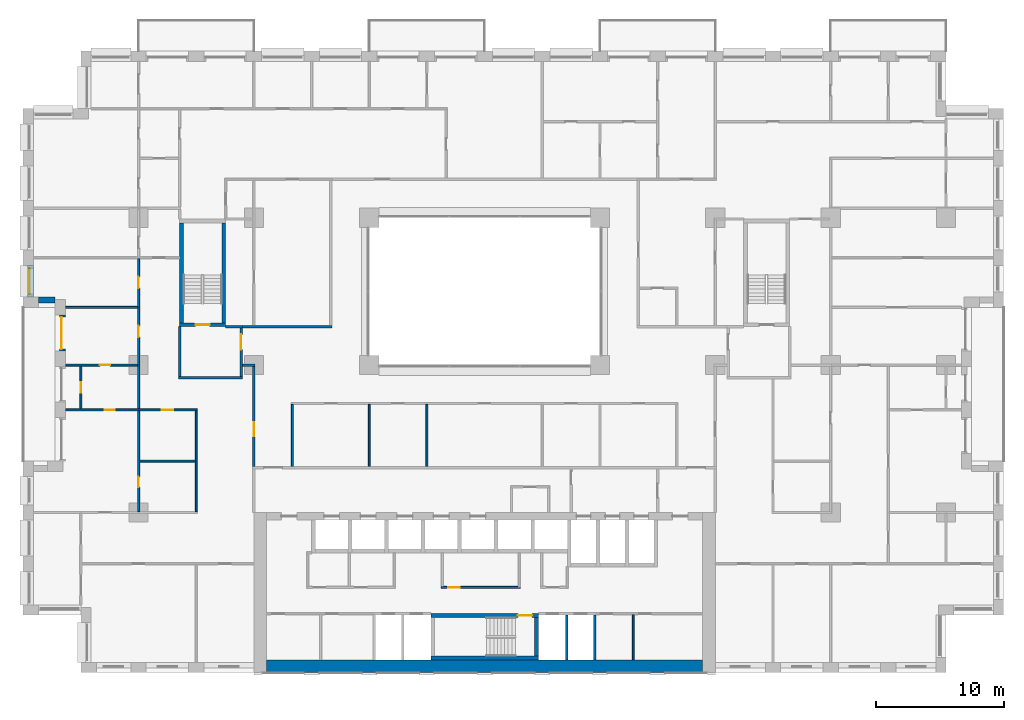
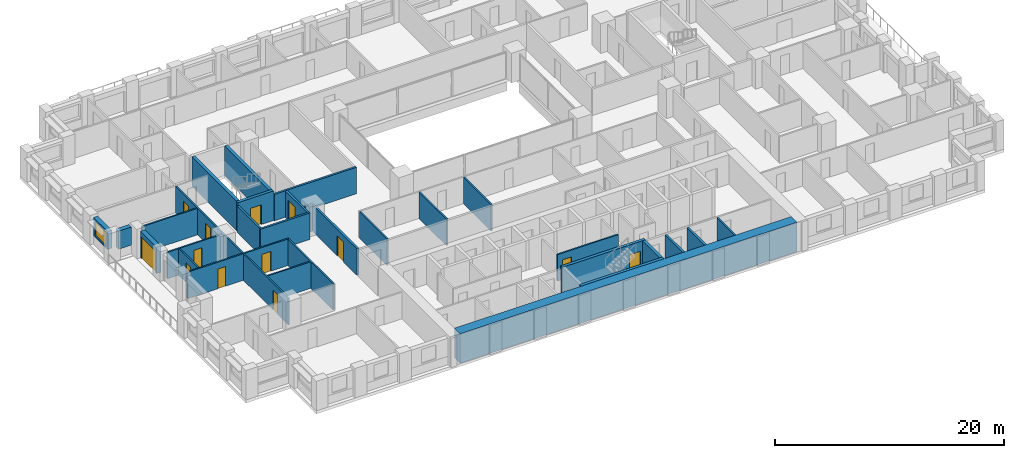
# One storey, part 10 of 20: 32 walls, 13 doors, 1 window, 14 openings.
"""IFC4 building model written with IfcOpenShell, lengths in metres."""

from ifc_helpers import new_model, si_unit, direction, frame, frame_2d, origin, place, context, subcontext, project, spatial, rectangle, extrude, material, layer, layer_set, type_object, element, fill, save


model = new_model("IFC4")

# Units and contexts
model_context = context("Model", 3, precision=1e-05, world=origin(), true_north=direction((0.0, 1.0)))
body_context = subcontext(model_context, "Body", "Model", "MODEL_VIEW")
ifc_project = project(units=[si_unit("LENGTHUNIT", "METRE"), si_unit("AREAUNIT", "SQUARE_METRE"), si_unit("VOLUMEUNIT", "CUBIC_METRE"), si_unit("PLANEANGLEUNIT", "RADIAN"), si_unit("MASSUNIT", "GRAM", prefix="KILO")], contexts=[model_context])

# Site, building, storey
site_placement = place(None, origin())
site = spatial("IfcSite", under=ifc_project, at=site_placement, CompositionType="ELEMENT")
building_placement = place(site_placement, origin())
building = spatial("IfcBuilding", under=site, at=building_placement, Name="Brigalow Station Residences", CompositionType="ELEMENT")
storey_placement = place(building_placement, frame((0.0, 0.0, 41.550048828125)))
storey = spatial("IfcBuildingStorey", under=building, at=storey_placement, Name="L11", CompositionType="ELEMENT", Elevation=41.550048828125)

# Wall, opening, window
ifc_material_1 = material(Name="Clay brick masonry", Category="masonry")
ifc_layer_1 = layer(ifc_material_1, 0.449951171875)
ifc_layer_set_1 = layer_set([ifc_layer_1], Name="BRICK INFILL WALL 450")
wall_type_1 = type_object("IfcWallType", Name="BRICK INFILL WALL 450", PredefinedType="SOLIDWALL", material=ifc_layer_set_1)
wall_1_placement = place(storey_placement, frame((0.574951171875, 31.77490234375, 0.89990234375), z_axis=(0.0, 0.0, 1.0), x_axis=(0.0, -1.0, 0.0)))
wall_1 = element("IfcWall", 1, at=wall_1_placement, inside=storey, type_object=wall_type_1, Name="L11/ewall/W-L11-45", PredefinedType="SOLIDWALL", context=body_context, shape_type="SweptSolid", body=[
    extrude(rectangle(XDim=2.474853515625, YDim=0.449951171875, at=frame_2d((1.2373046875, 0.0))), origin(), (0.0, 0.0, 1.0), 1.929931640625),
])
opening_1_placement = place(wall_1_placement, frame((0.237548828125, 0.0, 0.14990234375)))
opening_1 = element("IfcOpeningElement", 2, at=opening_1_placement, cuts=wall_1, Name="Opening WT-7", PredefinedType="OPENING", context=body_context, shape_type="SweptSolid", body=[
    extrude(rectangle(XDim=2.0, YDim=1.5, at=frame_2d((1.0, 0.75))), frame((0.0, 0.23486328125, 0.0), z_axis=(0.0, -1.0, 0.0), x_axis=(1.0, 0.0, 0.0)), (0.0, 0.0, 1.0), 0.469970703125),
])
ifc_material_2 = material(Name="Anodised aluminium frame with double glazing", Category="aluminium")
window_type = type_object("IfcWindowType", Name="WINDOW 2000x1500", PartitioningType="SINGLE_PANEL", PredefinedType="WINDOW", material=ifc_material_2)
window_placement = place(opening_1_placement, origin())
window = element("IfcWindow", 3, at=window_placement, inside=storey, type_object=window_type, Name="L11/window/W-L11-45", OverallHeight=1.5, OverallWidth=2.0, PartitioningType="SINGLE_PANEL", PredefinedType="WINDOW", context=body_context, shape_type="SweptSolid", body=[
    extrude(rectangle(XDim=2.0, YDim=1.5, at=frame_2d((1.0, 0.75))), frame((0.0, -0.06494140625, 0.0), z_axis=(0.0, -1.0, 0.0), x_axis=(1.0, 0.0, 0.0)), (0.0, 0.0, 1.0), 0.06005859375),
])
fill(opening_1, window)

# Wall
wall_2_placement = place(storey_placement, frame((1.199951171875, 29.074951171875, 0.89990234375), z_axis=(0.0, 0.0, 1.0), x_axis=(1.0, 0.0, 0.0)))
element("IfcWall", 4, at=wall_2_placement, inside=storey, type_object=wall_type_1, Name="L11/ewall/W-L11-46", PredefinedType="SOLIDWALL", context=body_context, shape_type="SweptSolid", body=[
    extrude(rectangle(XDim=1.300048828125, YDim=0.449951171875, at=frame_2d((0.64990234375, 0.0))), origin(), (0.0, 0.0, 1.0), 1.929931640625),
])

# Wall, opening, door
wall_3_placement = place(storey_placement, frame((3.074951171875, 27.89990234375, 0.0), z_axis=(0.0, 0.0, 1.0), x_axis=(0.0, -1.0, 0.0)))
wall_3 = element("IfcWall", 5, at=wall_3_placement, inside=storey, type_object=wall_type_1, Name="L11/ewall/W-L11-47", PredefinedType="SOLIDWALL", context=body_context, shape_type="SweptSolid", body=[
    extrude(rectangle(XDim=2.7998046875, YDim=0.449951171875, at=frame_2d((1.39990234375, 0.0))), origin(), (0.0, 0.0, 1.0), 2.829833984375),
])
opening_2_placement = place(wall_3_placement, frame((0.14990234375, 0.0, 0.0)))
opening_2 = element("IfcOpeningElement", 6, at=opening_2_placement, cuts=wall_3, Name="Opening D-B2500", PredefinedType="OPENING", context=body_context, shape_type="SweptSolid", body=[
    extrude(rectangle(XDim=2.5, YDim=2.300048828125, at=frame_2d((1.25, 1.14990234375))), frame((0.0, 0.23486328125, 0.0), z_axis=(0.0, -1.0, 0.0), x_axis=(1.0, 0.0, 0.0)), (0.0, 0.0, 1.0), 0.469970703125),
])
ifc_material_3 = material(Name="Anodised aluminium frame with double glazing", Category="aluminium")
door_type_1 = type_object("IfcDoorType", Name="BALCONY SLIDING DOOR 2500x2300", OperationType="SLIDING_TO_LEFT", PredefinedType="DOOR", material=ifc_material_3)
door_1_placement = place(opening_2_placement, origin())
door_1 = element("IfcDoor", 7, at=door_1_placement, inside=storey, type_object=door_type_1, Name="L11/balcony-door/W-L11-47", OperationType="SLIDING_TO_LEFT", OverallHeight=2.300048828125, OverallWidth=2.5, PredefinedType="DOOR", context=body_context, shape_type="SweptSolid", body=[
    extrude(rectangle(XDim=2.5, YDim=2.300048828125, at=frame_2d((1.25, 1.14990234375))), frame((0.0, -0.06982421875, 0.0), z_axis=(0.0, -1.0, 0.0), x_axis=(1.0, 0.0, 0.0)), (0.0, 0.0, 1.0), 0.050048828125),
])
fill(opening_2, door_1)

# Walls
ifc_material_4 = material(Name="Concrete C80", Category="concrete")
ifc_layer_2 = layer(ifc_material_4, 1.0)
ifc_layer_set_2 = layer_set([ifc_layer_2], Name="CORE SHEAR WALL 1000 C80")
wall_type_2 = type_object("IfcWallType", Name="CORE SHEAR WALL 1000 C80", PredefinedType="SHEAR", material=ifc_layer_set_2)
wall_4_placement = place(storey_placement, frame((19.0, 0.5, 0.0), z_axis=(0.0, 0.0, 1.0), x_axis=(1.0, 0.0, 0.0)))
element("IfcWall", 8, at=wall_4_placement, inside=storey, type_object=wall_type_2, Name="CORE WALL OUT-S L11", PredefinedType="SHEAR", context=body_context, shape_type="SweptSolid", body=[
    extrude(rectangle(XDim=34.0, YDim=1.0, at=frame_2d((17.0, 0.0))), origin(), (0.0, 0.0, 1.0), 3.14990234375),
])
ifc_material_5 = material(Name="Concrete C80", Category="concrete")
ifc_layer_3 = layer(ifc_material_5, 0.300048828125)
ifc_layer_set_3 = layer_set([ifc_layer_3], Name="CORE SHEAR WALL 300 C80")
wall_type_3 = type_object("IfcWallType", Name="CORE SHEAR WALL 300 C80", PredefinedType="SHEAR", material=ifc_layer_set_3)
wall_5_placement = place(storey_placement, frame((31.800048828125, 1.14990234375, 0.0), z_axis=(0.0, 0.0, 1.0), x_axis=(1.0, 0.0, 0.0)))
element("IfcWall", 9, at=wall_5_placement, inside=storey, type_object=wall_type_3, Name="CORE WALL ST-S2-S L11", PredefinedType="SHEAR", context=body_context, shape_type="SweptSolid", body=[
    extrude(rectangle(XDim=8.39990234375, YDim=0.300048828125, at=frame_2d((4.199951171875, 0.0))), origin(), (0.0, 0.0, 1.0), 3.14990234375),
])

# Wall, opening, door
wall_6_placement = place(storey_placement, frame((31.800048828125, 4.449951171875, 0.0), z_axis=(0.0, 0.0, 1.0), x_axis=(1.0, 0.0, 0.0)))
wall_6 = element("IfcWall", 10, at=wall_6_placement, inside=storey, type_object=wall_type_3, Name="CORE WALL ST-S2-N L11", PredefinedType="SHEAR", context=body_context, shape_type="SweptSolid", body=[
    extrude(rectangle(XDim=8.39990234375, YDim=0.300048828125, at=frame_2d((4.199951171875, 0.0))), origin(), (0.0, 0.0, 1.0), 3.14990234375),
])
opening_3_placement = place(wall_6_placement, frame((6.800048828125, 0.0, 0.0)))
opening_3 = element("IfcOpeningElement", 11, at=opening_3_placement, cuts=wall_6, Name="Opening D-5001", PredefinedType="OPENING", context=body_context, shape_type="SweptSolid", body=[
    extrude(rectangle(XDim=1.10009765625, YDim=2.10009765625, at=frame_2d((0.550048828125, 1.050048828125))), frame((0.0, 0.16015625, 0.0), z_axis=(0.0, -1.0, 0.0), x_axis=(1.0, 0.0, 0.0)), (0.0, 0.0, 1.0), 0.320068359375),
])
ifc_material_6 = material(Name="Steel fire door leaf in steel frame", Category="steel")
door_type_2 = type_object("IfcDoorType", Name="STAIR DOOR 1100 x 2100 FD60S", OperationType="SINGLE_SWING_LEFT", PredefinedType="DOOR", material=ifc_material_6)
door_2_placement = place(opening_3_placement, frame((1.10009765625, 0.0, 0.0), z_axis=(0.0, 0.0, 1.0), x_axis=(-1.0, 0.0, 0.0)))
door_2 = element("IfcDoor", 12, at=door_2_placement, inside=storey, type_object=door_type_2, Name="D-5001", OperationType="SINGLE_SWING_LEFT", OverallHeight=2.10009765625, OverallWidth=1.10009765625, PredefinedType="DOOR", context=body_context, shape_type="SweptSolid", body=[
    extrude(rectangle(XDim=1.10009765625, YDim=2.10009765625, at=frame_2d((0.550048828125, 1.050048828125))), frame((0.0, 0.02490234375, 0.0), z_axis=(0.0, -1.0, 0.0), x_axis=(1.0, 0.0, 0.0)), (0.0, 0.0, 1.0), 0.050048828125),
])
fill(opening_3, door_2)

# Wall
wall_7_placement = place(storey_placement, frame((40.050048828125, 1.300048828125, 0.0), z_axis=(0.0, 0.0, 1.0), x_axis=(0.0, 1.0, 0.0)))
element("IfcWall", 13, at=wall_7_placement, inside=storey, type_object=wall_type_3, Name="CORE WALL ST-S2-E L11", PredefinedType="SHEAR", context=body_context, shape_type="SweptSolid", body=[
    extrude(rectangle(XDim=3.0, YDim=0.300048828125, at=frame_2d((1.5, 0.0))), origin(), (0.0, 0.0, 1.0), 3.14990234375),
])

# Wall, opening, door
wall_8_placement = place(storey_placement, frame((12.199951171875, 27.14990234375, 0.0), z_axis=(0.0, 0.0, 1.0), x_axis=(1.0, 0.0, 0.0)))
wall_8 = element("IfcWall", 14, at=wall_8_placement, inside=storey, type_object=wall_type_3, Name="CORE WALL ST-S1-S L11", PredefinedType="SHEAR", context=body_context, shape_type="SweptSolid", body=[
    extrude(rectangle(XDim=3.60009765625, YDim=0.300048828125, at=frame_2d((1.800048828125, 0.0))), origin(), (0.0, 0.0, 1.0), 3.14990234375),
])
opening_4_placement = place(wall_8_placement, frame((1.25, 0.0, 0.0)))
opening_4 = element("IfcOpeningElement", 15, at=opening_4_placement, cuts=wall_8, Name="Opening D-5015", PredefinedType="OPENING", context=body_context, shape_type="SweptSolid", body=[
    extrude(rectangle(XDim=1.10009765625, YDim=2.10009765625, at=frame_2d((0.550048828125, 1.050048828125))), frame((0.0, 0.16015625, 0.0), z_axis=(0.0, -1.0, 0.0), x_axis=(1.0, 0.0, 0.0)), (0.0, 0.0, 1.0), 0.320068359375),
])
door_3_placement = place(opening_4_placement, origin())
door_3 = element("IfcDoor", 16, at=door_3_placement, inside=storey, type_object=door_type_2, Name="D-5015", OperationType="SINGLE_SWING_LEFT", OverallHeight=2.10009765625, OverallWidth=1.10009765625, PredefinedType="DOOR", context=body_context, shape_type="SweptSolid", body=[
    extrude(rectangle(XDim=1.10009765625, YDim=2.10009765625, at=frame_2d((0.550048828125, 1.050048828125))), frame((0.0, 0.02490234375, 0.0), z_axis=(0.0, -1.0, 0.0), x_axis=(1.0, 0.0, 0.0)), (0.0, 0.0, 1.0), 0.050048828125),
])
fill(opening_4, door_3)

# Walls
for number, where, z_axis, x_axis, name in (
    (17, (12.35009765625, 27.300048828125, 0.0), (0.0, 0.0, 1.0), (0.0, 1.0, 0.0), "CORE WALL ST-S1-W L11"),
    (18, (15.64990234375, 27.300048828125, 0.0), (0.0, 0.0, 1.0), (0.0, 1.0, 0.0), "CORE WALL ST-S1-E L11"),
):
    element("IfcWall", number, at=place(storey_placement, frame(where, z_axis=z_axis, x_axis=x_axis)), inside=storey, type_object=wall_type_3, Name=name, PredefinedType="SHEAR", context=body_context, shape_type="SweptSolid", body=[
        extrude(rectangle(XDim=7.800048828125, YDim=0.300048828125, at=frame_2d((3.89990234375, 0.0))), origin(), (0.0, 0.0, 1.0), 3.14990234375),
    ])
ifc_material_7 = material(Name="Concrete blockwork", Category="masonry")
ifc_layer_4 = layer(ifc_material_7, 0.199951171875)
ifc_layer_set_4 = layer_set([ifc_layer_4], Name="FIRE RATED CORE PARTITION 200")
wall_type_4 = type_object("IfcWallType", Name="FIRE RATED CORE PARTITION 200", PredefinedType="PARTITIONING", material=ifc_layer_set_4)
wall_9_placement = place(storey_placement, frame((12.10009765625, 23.0, 0.0), z_axis=(0.0, 0.0, 1.0), x_axis=(1.0, 0.0, 0.0)))
element("IfcWall", 19, at=wall_9_placement, inside=storey, type_object=wall_type_4, Name="PW-5023", PredefinedType="PARTITIONING", context=body_context, shape_type="SweptSolid", body=[
    extrude(rectangle(XDim=5.0, YDim=0.199951171875, at=frame_2d((2.5, 0.0))), origin(), (0.0, 0.0, 1.0), 2.829833984375),
])
wall_10_placement = place(storey_placement, frame((15.800048828125, 27.0, 0.0), z_axis=(0.0, 0.0, 1.0), x_axis=(1.0, 0.0, 0.0)))
element("IfcWall", 20, at=wall_10_placement, inside=storey, type_object=wall_type_4, Name="PW-5025", PredefinedType="PARTITIONING", context=body_context, shape_type="SweptSolid", body=[
    extrude(rectangle(XDim=1.300048828125, YDim=0.199951171875, at=frame_2d((0.64990234375, 0.0))), origin(), (0.0, 0.0, 1.0), 2.829833984375),
])
for number, where, z_axis, x_axis, name in (
    (21, (42.39990234375, 1.0, 0.0), (0.0, 0.0, 1.0), (0.0, 1.0, 0.0), "PW-5007"),
    (22, (44.60009765625, 1.0, 0.0), (0.0, 0.0, 1.0), (0.0, 1.0, 0.0), "PW-5008"),
):
    element("IfcWall", number, at=place(storey_placement, frame(where, z_axis=z_axis, x_axis=x_axis)), inside=storey, type_object=wall_type_4, Name=name, PredefinedType="PARTITIONING", context=body_context, shape_type="SweptSolid", body=[
        extrude(rectangle(XDim=3.5, YDim=0.199951171875, at=frame_2d((1.75, 0.0))), origin(), (0.0, 0.0, 1.0), 2.829833984375),
    ])
wall_11_placement = place(storey_placement, frame((12.199951171875, 23.10009765625, 0.0), z_axis=(0.0, 0.0, 1.0), x_axis=(0.0, 1.0, 0.0)))
element("IfcWall", 23, at=wall_11_placement, inside=storey, type_object=wall_type_4, Name="PW-5034", PredefinedType="PARTITIONING", context=body_context, shape_type="SweptSolid", body=[
    extrude(rectangle(XDim=3.89990234375, YDim=0.199951171875, at=frame_2d((1.949951171875, 0.0))), origin(), (0.0, 0.0, 1.0), 2.829833984375),
])

# Wall, opening, door
wall_12_placement = place(storey_placement, frame((17.0, 23.10009765625, 0.0), z_axis=(0.0, 0.0, 1.0), x_axis=(0.0, 1.0, 0.0)))
wall_12 = element("IfcWall", 24, at=wall_12_placement, inside=storey, type_object=wall_type_4, Name="PW-5035", PredefinedType="PARTITIONING", context=body_context, shape_type="SweptSolid", body=[
    extrude(rectangle(XDim=3.7998046875, YDim=0.199951171875, at=frame_2d((1.89990234375, 0.0))), origin(), (0.0, 0.0, 1.0), 2.829833984375),
])
opening_5_placement = place(wall_12_placement, frame((2.10009765625, 0.0, 0.0)))
opening_5 = element("IfcOpeningElement", 25, at=opening_5_placement, cuts=wall_12, Name="Opening D-5016", PredefinedType="OPENING", context=body_context, shape_type="SweptSolid", body=[
    extrude(rectangle(XDim=1.199951171875, YDim=2.10009765625, at=frame_2d((0.60009765625, 1.050048828125))), frame((0.0, 0.10986328125, 0.0), z_axis=(0.0, -1.0, 0.0), x_axis=(1.0, 0.0, 0.0)), (0.0, 0.0, 1.0), 0.219970703125),
])
ifc_material_8 = material(Name="Steel fire door leaf in steel frame", Category="steel")
door_type_3 = type_object("IfcDoorType", Name="STAIR LOBBY DOOR 1200 x 2100 FD60S", OperationType="SINGLE_SWING_LEFT", PredefinedType="DOOR", material=ifc_material_8)
door_4_placement = place(opening_5_placement, origin())
door_4 = element("IfcDoor", 26, at=door_4_placement, inside=storey, type_object=door_type_3, Name="D-5016", OperationType="SINGLE_SWING_RIGHT", OverallHeight=2.10009765625, OverallWidth=1.199951171875, PredefinedType="DOOR", context=body_context, shape_type="SweptSolid", body=[
    extrude(rectangle(XDim=1.199951171875, YDim=2.10009765625, at=frame_2d((0.60009765625, 1.050048828125))), frame((0.0, 0.02490234375, 0.0), z_axis=(0.0, -1.0, 0.0), x_axis=(1.0, 0.0, 0.0)), (0.0, 0.0, 1.0), 0.050048828125),
])
fill(opening_5, door_4)

ifc_material_9 = material(Name="Plasterboard on steel stud partition", Category="steel")
ifc_layer_5 = layer(ifc_material_9, 0.14990234375)
ifc_layer_set_5 = layer_set([ifc_layer_5], Name="FLAT PARTITION 150")
wall_type_5 = type_object("IfcWallType", Name="FLAT PARTITION 150", PredefinedType="PARTITIONING", material=ifc_layer_set_5)
wall_13_placement = place(storey_placement, frame((3.300048828125, 24.0, 0.0), z_axis=(0.0, 0.0, 1.0), x_axis=(1.0, 0.0, 0.0)))
wall_13 = element("IfcWall", 27, at=wall_13_placement, inside=storey, type_object=wall_type_5, Name="PW-1C02", PredefinedType="PARTITIONING", context=body_context, shape_type="SweptSolid", body=[
    extrude(rectangle(XDim=5.625, YDim=0.14990234375, at=frame_2d((2.8125, 0.0))), origin(), (0.0, 0.0, 1.0), 2.829833984375),
])
opening_6_placement = place(wall_13_placement, frame((2.675048828125, 0.0, 0.0)))
opening_6 = element("IfcOpeningElement", 28, at=opening_6_placement, cuts=wall_13, Name="Opening D-1C04", PredefinedType="OPENING", context=body_context, shape_type="SweptSolid", body=[
    extrude(rectangle(XDim=0.800048828125, YDim=2.10009765625, at=frame_2d((0.39990234375, 1.050048828125))), frame((0.0, 0.0849609375, 0.0), z_axis=(0.0, -1.0, 0.0), x_axis=(1.0, 0.0, 0.0)), (0.0, 0.0, 1.0), 0.169921875),
])
ifc_material_10 = material(Name="Solid-core timber door leaf", Category="wood")
door_type_4 = type_object("IfcDoorType", Name="INTERNAL DOOR 800 x 2100", OperationType="SINGLE_SWING_LEFT", PredefinedType="DOOR", material=ifc_material_10)
door_5_placement = place(opening_6_placement, frame((0.800048828125, 0.0, 0.0), z_axis=(0.0, 0.0, 1.0), x_axis=(-1.0, 0.0, 0.0)))
door_5 = element("IfcDoor", 29, at=door_5_placement, inside=storey, type_object=door_type_4, Name="D-1C04", OperationType="SINGLE_SWING_RIGHT", OverallHeight=2.10009765625, OverallWidth=0.800048828125, PredefinedType="DOOR", context=body_context, shape_type="SweptSolid", body=[
    extrude(rectangle(XDim=0.800048828125, YDim=2.10009765625, at=frame_2d((0.39990234375, 1.050048828125))), frame((0.0, 0.02490234375, 0.0), z_axis=(0.0, -1.0, 0.0), x_axis=(1.0, 0.0, 0.0)), (0.0, 0.0, 1.0), 0.050048828125),
])
fill(opening_6, door_5)

# Wall, openings, doors
wall_14_placement = place(storey_placement, frame((3.300048828125, 20.5, 0.0), z_axis=(0.0, 0.0, 1.0), x_axis=(1.0, 0.0, 0.0)))
wall_14 = element("IfcWall", 30, at=wall_14_placement, inside=storey, type_object=wall_type_5, Name="PW-1C17", PredefinedType="PARTITIONING", context=body_context, shape_type="SweptSolid", body=[
    extrude(rectangle(XDim=10.27490234375, YDim=0.14990234375, at=frame_2d((5.137451171875, 0.0))), origin(), (0.0, 0.0, 1.0), 2.829833984375),
])
opening_7_placement = place(wall_14_placement, frame((7.5, 0.0, 0.0)))
opening_7 = element("IfcOpeningElement", 31, at=opening_7_placement, cuts=wall_14, Name="Opening D-1C03", PredefinedType="OPENING", context=body_context, shape_type="SweptSolid", body=[
    extrude(rectangle(XDim=0.89990234375, YDim=2.10009765625, at=frame_2d((0.449951171875, 1.050048828125))), frame((0.0, 0.0849609375, 0.0), z_axis=(0.0, -1.0, 0.0), x_axis=(1.0, 0.0, 0.0)), (0.0, 0.0, 1.0), 0.169921875),
])
opening_8_placement = place(wall_14_placement, frame((3.050048828125, 0.0, 0.0)))
opening_8 = element("IfcOpeningElement", 32, at=opening_8_placement, cuts=wall_14, Name="Opening D-1C09", PredefinedType="OPENING", context=body_context, shape_type="SweptSolid", body=[
    extrude(rectangle(XDim=0.800048828125, YDim=2.10009765625, at=frame_2d((0.39990234375, 1.050048828125))), frame((0.0, 0.0849609375, 0.0), z_axis=(0.0, -1.0, 0.0), x_axis=(1.0, 0.0, 0.0)), (0.0, 0.0, 1.0), 0.169921875),
])
door_6_placement = place(opening_8_placement, origin())
door_6 = element("IfcDoor", 33, at=door_6_placement, inside=storey, type_object=door_type_4, Name="D-1C09", OperationType="SINGLE_SWING_RIGHT", OverallHeight=2.10009765625, OverallWidth=0.800048828125, PredefinedType="DOOR", context=body_context, shape_type="SweptSolid", body=[
    extrude(rectangle(XDim=0.800048828125, YDim=2.10009765625, at=frame_2d((0.39990234375, 1.050048828125))), frame((0.0, 0.02490234375, 0.0), z_axis=(0.0, -1.0, 0.0), x_axis=(1.0, 0.0, 0.0)), (0.0, 0.0, 1.0), 0.050048828125),
])
fill(opening_8, door_6)
ifc_material_11 = material(Name="Solid-core timber door leaf", Category="wood")
door_type_5 = type_object("IfcDoorType", Name="INTERNAL DOOR 900 x 2100", OperationType="SINGLE_SWING_LEFT", PredefinedType="DOOR", material=ifc_material_11)
door_7_placement = place(opening_7_placement, frame((0.89990234375, 0.0, 0.0), z_axis=(0.0, 0.0, 1.0), x_axis=(-1.0, 0.0, 0.0)))
door_7 = element("IfcDoor", 34, at=door_7_placement, inside=storey, type_object=door_type_5, Name="D-1C03", OperationType="SINGLE_SWING_LEFT", OverallHeight=2.10009765625, OverallWidth=0.89990234375, PredefinedType="DOOR", context=body_context, shape_type="SweptSolid", body=[
    extrude(rectangle(XDim=0.89990234375, YDim=2.10009765625, at=frame_2d((0.449951171875, 1.050048828125))), frame((0.0, 0.02490234375, 0.0), z_axis=(0.0, -1.0, 0.0), x_axis=(1.0, 0.0, 0.0)), (0.0, 0.0, 1.0), 0.050048828125),
])
fill(opening_7, door_7)

# Walls
wall_15_placement = place(storey_placement, frame((9.074951171875, 16.5, 0.0), z_axis=(0.0, 0.0, 1.0), x_axis=(1.0, 0.0, 0.0)))
element("IfcWall", 35, at=wall_15_placement, inside=storey, type_object=wall_type_5, Name="PW-1C21", PredefinedType="PARTITIONING", context=body_context, shape_type="SweptSolid", body=[
    extrude(rectangle(XDim=4.35009765625, YDim=0.14990234375, at=frame_2d((2.175048828125, 0.0))), origin(), (0.0, 0.0, 1.0), 2.829833984375),
])
wall_16_placement = place(storey_placement, frame((3.300048828125, 28.5, 0.0), z_axis=(0.0, 0.0, 1.0), x_axis=(1.0, 0.0, 0.0)))
element("IfcWall", 36, at=wall_16_placement, inside=storey, type_object=wall_type_5, Name="PW-1C23", PredefinedType="PARTITIONING", context=body_context, shape_type="SweptSolid", body=[
    extrude(rectangle(XDim=5.625, YDim=0.14990234375, at=frame_2d((2.8125, 0.0))), origin(), (0.0, 0.0, 1.0), 2.829833984375),
])
wall_17_placement = place(storey_placement, frame((21.0, 16.10009765625, 0.0), z_axis=(0.0, 0.0, 1.0), x_axis=(0.0, 1.0, 0.0)))
element("IfcWall", 37, at=wall_17_placement, inside=storey, type_object=wall_type_5, Name="PW-1C44", PredefinedType="PARTITIONING", context=body_context, shape_type="SweptSolid", body=[
    extrude(rectangle(XDim=4.824951171875, YDim=0.14990234375, at=frame_2d((2.41259765625, 0.0))), origin(), (0.0, 0.0, 1.0), 2.829833984375),
])
wall_18_placement = place(storey_placement, frame((13.5, 12.574951171875, 0.0), z_axis=(0.0, 0.0, 1.0), x_axis=(0.0, 1.0, 0.0)))
element("IfcWall", 38, at=wall_18_placement, inside=storey, type_object=wall_type_5, Name="PW-1C50", PredefinedType="PARTITIONING", context=body_context, shape_type="SweptSolid", body=[
    extrude(rectangle(XDim=7.85009765625, YDim=0.14990234375, at=frame_2d((3.925048828125, 0.0))), origin(), (0.0, 0.0, 1.0), 2.829833984375),
])

# Wall, opening, door
wall_19_placement = place(storey_placement, frame((4.5, 20.574951171875, 0.0), z_axis=(0.0, 0.0, 1.0), x_axis=(0.0, 1.0, 0.0)))
wall_19 = element("IfcWall", 39, at=wall_19_placement, inside=storey, type_object=wall_type_5, Name="PW-1C52", PredefinedType="PARTITIONING", context=body_context, shape_type="SweptSolid", body=[
    extrude(rectangle(XDim=3.35009765625, YDim=0.14990234375, at=frame_2d((1.675048828125, 0.0))), origin(), (0.0, 0.0, 1.0), 2.829833984375),
])
opening_9_placement = place(wall_19_placement, frame((1.27490234375, 0.0, 0.0)))
opening_9 = element("IfcOpeningElement", 40, at=opening_9_placement, cuts=wall_19, Name="Opening D-1C10", PredefinedType="OPENING", context=body_context, shape_type="SweptSolid", body=[
    extrude(rectangle(XDim=0.800048828125, YDim=2.10009765625, at=frame_2d((0.39990234375, 1.050048828125))), frame((0.0, 0.0849609375, 0.0), z_axis=(0.0, -1.0, 0.0), x_axis=(1.0, 0.0, 0.0)), (0.0, 0.0, 1.0), 0.169921875),
])
door_8_placement = place(opening_9_placement, origin())
door_8 = element("IfcDoor", 41, at=door_8_placement, inside=storey, type_object=door_type_4, Name="D-1C10", OperationType="SINGLE_SWING_LEFT", OverallHeight=2.10009765625, OverallWidth=0.800048828125, PredefinedType="DOOR", context=body_context, shape_type="SweptSolid", body=[
    extrude(rectangle(XDim=0.800048828125, YDim=2.10009765625, at=frame_2d((0.39990234375, 1.050048828125))), frame((0.0, 0.02490234375, 0.0), z_axis=(0.0, -1.0, 0.0), x_axis=(1.0, 0.0, 0.0)), (0.0, 0.0, 1.0), 0.050048828125),
])
fill(opening_9, door_8)

wall_20_placement = place(storey_placement, frame((9.0, 12.574951171875, 0.0), z_axis=(0.0, 0.0, 1.0), x_axis=(0.0, 1.0, 0.0)))
wall_20 = element("IfcWall", 42, at=wall_20_placement, inside=storey, type_object=wall_type_5, Name="PW-1C53", PredefinedType="PARTITIONING", context=body_context, shape_type="SweptSolid", body=[
    extrude(rectangle(XDim=7.85009765625, YDim=0.14990234375, at=frame_2d((3.925048828125, 0.0))), origin(), (0.0, 0.0, 1.0), 2.829833984375),
])
opening_10_placement = place(wall_20_placement, frame((1.89990234375, 0.0, 0.0)))
opening_10 = element("IfcOpeningElement", 43, at=opening_10_placement, cuts=wall_20, Name="Opening D-1C11", PredefinedType="OPENING", context=body_context, shape_type="SweptSolid", body=[
    extrude(rectangle(XDim=0.800048828125, YDim=2.10009765625, at=frame_2d((0.39990234375, 1.050048828125))), frame((0.0, 0.0849609375, 0.0), z_axis=(0.0, -1.0, 0.0), x_axis=(1.0, 0.0, 0.0)), (0.0, 0.0, 1.0), 0.169921875),
])
door_9_placement = place(opening_10_placement, frame((0.800048828125, 0.0, 0.0), z_axis=(0.0, 0.0, 1.0), x_axis=(-1.0, 0.0, 0.0)))
door_9 = element("IfcDoor", 44, at=door_9_placement, inside=storey, type_object=door_type_4, Name="D-1C11", OperationType="SINGLE_SWING_LEFT", OverallHeight=2.10009765625, OverallWidth=0.800048828125, PredefinedType="DOOR", context=body_context, shape_type="SweptSolid", body=[
    extrude(rectangle(XDim=0.800048828125, YDim=2.10009765625, at=frame_2d((0.39990234375, 1.050048828125))), frame((0.0, 0.02490234375, 0.0), z_axis=(0.0, -1.0, 0.0), x_axis=(1.0, 0.0, 0.0)), (0.0, 0.0, 1.0), 0.050048828125),
])
fill(opening_10, door_9)

# Wall, openings, doors
wall_21_placement = place(storey_placement, frame((9.0, 20.574951171875, 0.0), z_axis=(0.0, 0.0, 1.0), x_axis=(0.0, 1.0, 0.0)))
wall_21 = element("IfcWall", 45, at=wall_21_placement, inside=storey, type_object=wall_type_5, Name="PW-1C54", PredefinedType="PARTITIONING", context=body_context, shape_type="SweptSolid", body=[
    extrude(rectangle(XDim=11.72509765625, YDim=0.14990234375, at=frame_2d((5.862548828125, 0.0))), origin(), (0.0, 0.0, 1.0), 2.829833984375),
])
opening_11_placement = place(wall_21_placement, frame((5.60009765625, 0.0, 0.0)))
opening_11 = element("IfcOpeningElement", 46, at=opening_11_placement, cuts=wall_21, Name="Opening D-1C05", PredefinedType="OPENING", context=body_context, shape_type="SweptSolid", body=[
    extrude(rectangle(XDim=0.89990234375, YDim=2.10009765625, at=frame_2d((0.449951171875, 1.050048828125))), frame((0.0, 0.0849609375, 0.0), z_axis=(0.0, -1.0, 0.0), x_axis=(1.0, 0.0, 0.0)), (0.0, 0.0, 1.0), 0.169921875),
])
opening_12_placement = place(wall_21_placement, frame((9.4130859375, 0.0, 0.0)))
opening_12 = element("IfcOpeningElement", 47, at=opening_12_placement, cuts=wall_21, Name="Opening D-1C06", PredefinedType="OPENING", context=body_context, shape_type="SweptSolid", body=[
    extrude(rectangle(XDim=0.89990234375, YDim=2.10009765625, at=frame_2d((0.449951171875, 1.050048828125))), frame((0.0, 0.0849609375, 0.0), z_axis=(0.0, -1.0, 0.0), x_axis=(1.0, 0.0, 0.0)), (0.0, 0.0, 1.0), 0.169921875),
])
door_10_placement = place(opening_11_placement, origin())
door_10 = element("IfcDoor", 48, at=door_10_placement, inside=storey, type_object=door_type_5, Name="D-1C05", OperationType="SINGLE_SWING_RIGHT", OverallHeight=2.10009765625, OverallWidth=0.89990234375, PredefinedType="DOOR", context=body_context, shape_type="SweptSolid", body=[
    extrude(rectangle(XDim=0.89990234375, YDim=2.10009765625, at=frame_2d((0.449951171875, 1.050048828125))), frame((0.0, 0.02490234375, 0.0), z_axis=(0.0, -1.0, 0.0), x_axis=(1.0, 0.0, 0.0)), (0.0, 0.0, 1.0), 0.050048828125),
])
fill(opening_11, door_10)
door_11_placement = place(opening_12_placement, origin())
door_11 = element("IfcDoor", 49, at=door_11_placement, inside=storey, type_object=door_type_5, Name="D-1C06", OperationType="SINGLE_SWING_RIGHT", OverallHeight=2.10009765625, OverallWidth=0.89990234375, PredefinedType="DOOR", context=body_context, shape_type="SweptSolid", body=[
    extrude(rectangle(XDim=0.89990234375, YDim=2.10009765625, at=frame_2d((0.449951171875, 1.050048828125))), frame((0.0, 0.02490234375, 0.0), z_axis=(0.0, -1.0, 0.0), x_axis=(1.0, 0.0, 0.0)), (0.0, 0.0, 1.0), 0.050048828125),
])
fill(opening_12, door_11)

# Walls
for number, where, z_axis, x_axis, name in (
    (50, (27.0, 16.10009765625, 0.0), (0.0, 0.0, 1.0), (0.0, 1.0, 0.0), "PW-1C63"),
    (51, (31.5, 16.10009765625, 0.0), (0.0, 0.0, 1.0), (0.0, 1.0, 0.0), "PW-1C65"),
):
    element("IfcWall", number, at=place(storey_placement, frame(where, z_axis=z_axis, x_axis=x_axis)), inside=storey, type_object=wall_type_5, Name=name, PredefinedType="PARTITIONING", context=body_context, shape_type="SweptSolid", body=[
        extrude(rectangle(XDim=4.824951171875, YDim=0.14990234375, at=frame_2d((2.41259765625, 0.0))), origin(), (0.0, 0.0, 1.0), 2.829833984375),
    ])
ifc_material_12 = material(Name="Plasterboard on steel stud partition", Category="steel")
ifc_layer_6 = layer(ifc_material_12, 0.199951171875)
ifc_layer_set_6 = layer_set([ifc_layer_6], Name="PARTY AND CORRIDOR WALL 200")
wall_type_6 = type_object("IfcWallType", Name="PARTY AND CORRIDOR WALL 200", PredefinedType="PARTITIONING", material=ifc_layer_set_6)
wall_22_placement = place(storey_placement, frame((17.10009765625, 24.0, 0.0), z_axis=(0.0, 0.0, 1.0), x_axis=(1.0, 0.0, 0.0)))
element("IfcWall", 52, at=wall_22_placement, inside=storey, type_object=wall_type_6, Name="PW-1C04", PredefinedType="PARTITIONING", context=body_context, shape_type="SweptSolid", body=[
    extrude(rectangle(XDim=1.0, YDim=0.199951171875, at=frame_2d((0.5, 0.0))), origin(), (0.0, 0.0, 1.0), 2.829833984375),
])
wall_23_placement = place(storey_placement, frame((17.10009765625, 27.0, 0.0), z_axis=(0.0, 0.0, 1.0), x_axis=(1.0, 0.0, 0.0)))
element("IfcWall", 53, at=wall_23_placement, inside=storey, type_object=wall_type_6, Name="PW-1C07", PredefinedType="PARTITIONING", context=body_context, shape_type="SweptSolid", body=[
    extrude(rectangle(XDim=7.0, YDim=0.199951171875, at=frame_2d((3.5, 0.0))), origin(), (0.0, 0.0, 1.0), 2.829833984375),
])

# Wall, opening, door
wall_24_placement = place(storey_placement, frame((18.0, 16.10009765625, 0.0), z_axis=(0.0, 0.0, 1.0), x_axis=(0.0, 1.0, 0.0)))
wall_24 = element("IfcWall", 54, at=wall_24_placement, inside=storey, type_object=wall_type_6, Name="PW-1C40", PredefinedType="PARTITIONING", context=body_context, shape_type="SweptSolid", body=[
    extrude(rectangle(XDim=7.7998046875, YDim=0.199951171875, at=frame_2d((3.89990234375, 0.0))), origin(), (0.0, 0.0, 1.0), 2.829833984375),
])
opening_13_placement = place(wall_24_placement, frame((2.35009765625, 0.0, 0.0)))
opening_13 = element("IfcOpeningElement", 55, at=opening_13_placement, cuts=wall_24, Name="Opening D-1C17", PredefinedType="OPENING", context=body_context, shape_type="SweptSolid", body=[
    extrude(rectangle(XDim=1.10009765625, YDim=2.10009765625, at=frame_2d((0.550048828125, 1.050048828125))), frame((0.0, 0.10986328125, 0.0), z_axis=(0.0, -1.0, 0.0), x_axis=(1.0, 0.0, 0.0)), (0.0, 0.0, 1.0), 0.219970703125),
])
ifc_material_13 = material(Name="Solid-core timber door leaf", Category="wood")
door_type_6 = type_object("IfcDoorType", Name="FLAT ENTRANCE DOOR 1100 x 2100 FRL -/60/30", OperationType="SINGLE_SWING_LEFT", PredefinedType="DOOR", material=ifc_material_13)
door_12_placement = place(opening_13_placement, origin())
door_12 = element("IfcDoor", 56, at=door_12_placement, inside=storey, type_object=door_type_6, Name="D-1C17", OperationType="SINGLE_SWING_RIGHT", OverallHeight=2.10009765625, OverallWidth=1.10009765625, PredefinedType="DOOR", context=body_context, shape_type="SweptSolid", body=[
    extrude(rectangle(XDim=1.10009765625, YDim=2.10009765625, at=frame_2d((0.550048828125, 1.050048828125))), frame((0.0, 0.02490234375, 0.0), z_axis=(0.0, -1.0, 0.0), x_axis=(1.0, 0.0, 0.0)), (0.0, 0.0, 1.0), 0.050048828125),
])
fill(opening_13, door_12)

ifc_material_14 = material(Name="Plasterboard on steel studs", Category="steel")
ifc_layer_7 = layer(ifc_material_14, 0.14990234375)
ifc_layer_set_7 = layer_set([ifc_layer_7], Name="SERVICE ROOM PARTITION 150")
wall_type_7 = type_object("IfcWallType", Name="SERVICE ROOM PARTITION 150", PredefinedType="PARTITIONING", material=ifc_layer_set_7)
wall_25_placement = place(storey_placement, frame((32.625, 6.64990234375, 0.0), z_axis=(0.0, 0.0, 1.0), x_axis=(1.0, 0.0, 0.0)))
wall_25 = element("IfcWall", 57, at=wall_25_placement, inside=storey, type_object=wall_type_7, Name="PW-5127", PredefinedType="PARTITIONING", context=body_context, shape_type="SweptSolid", body=[
    extrude(rectangle(XDim=6.14990234375, YDim=0.14990234375, at=frame_2d((3.074951171875, 0.0))), origin(), (0.0, 0.0, 1.0), 2.829833984375),
])
opening_14_placement = place(wall_25_placement, frame((0.52490234375, 0.0, 0.0)))
opening_14 = element("IfcOpeningElement", 58, at=opening_14_placement, cuts=wall_25, Name="Opening D-5073", PredefinedType="OPENING", context=body_context, shape_type="SweptSolid", body=[
    extrude(rectangle(XDim=0.89990234375, YDim=2.10009765625, at=frame_2d((0.449951171875, 1.050048828125))), frame((0.0, 0.0849609375, 0.0), z_axis=(0.0, -1.0, 0.0), x_axis=(1.0, 0.0, 0.0)), (0.0, 0.0, 1.0), 0.169921875),
])
ifc_material_15 = material(Name="Steel door leaf in steel frame", Category="steel")
door_type_7 = type_object("IfcDoorType", Name="SERVICE ROOM DOOR 900 x 2100 FD60", OperationType="SINGLE_SWING_LEFT", PredefinedType="DOOR", material=ifc_material_15)
door_13_placement = place(opening_14_placement, origin())
door_13 = element("IfcDoor", 59, at=door_13_placement, inside=storey, type_object=door_type_7, Name="D-5073", OperationType="SINGLE_SWING_LEFT", OverallHeight=2.10009765625, OverallWidth=0.89990234375, PredefinedType="DOOR", context=body_context, shape_type="SweptSolid", body=[
    extrude(rectangle(XDim=0.89990234375, YDim=2.10009765625, at=frame_2d((0.449951171875, 1.050048828125))), frame((0.0, 0.02490234375, 0.0), z_axis=(0.0, -1.0, 0.0), x_axis=(1.0, 0.0, 0.0)), (0.0, 0.0, 1.0), 0.050048828125),
])
fill(opening_14, door_13)

# Wall
wall_26_placement = place(storey_placement, frame((47.60009765625, 1.0, 0.0), z_axis=(0.0, 0.0, 1.0), x_axis=(0.0, 1.0, 0.0)))
element("IfcWall", 60, at=wall_26_placement, inside=storey, type_object=wall_type_7, Name="PW-5131", PredefinedType="PARTITIONING", context=body_context, shape_type="SweptSolid", body=[
    extrude(rectangle(XDim=3.52490234375, YDim=0.14990234375, at=frame_2d((1.762451171875, 0.0))), origin(), (0.0, 0.0, 1.0), 2.829833984375),
])

save(model, "model.ifc")
